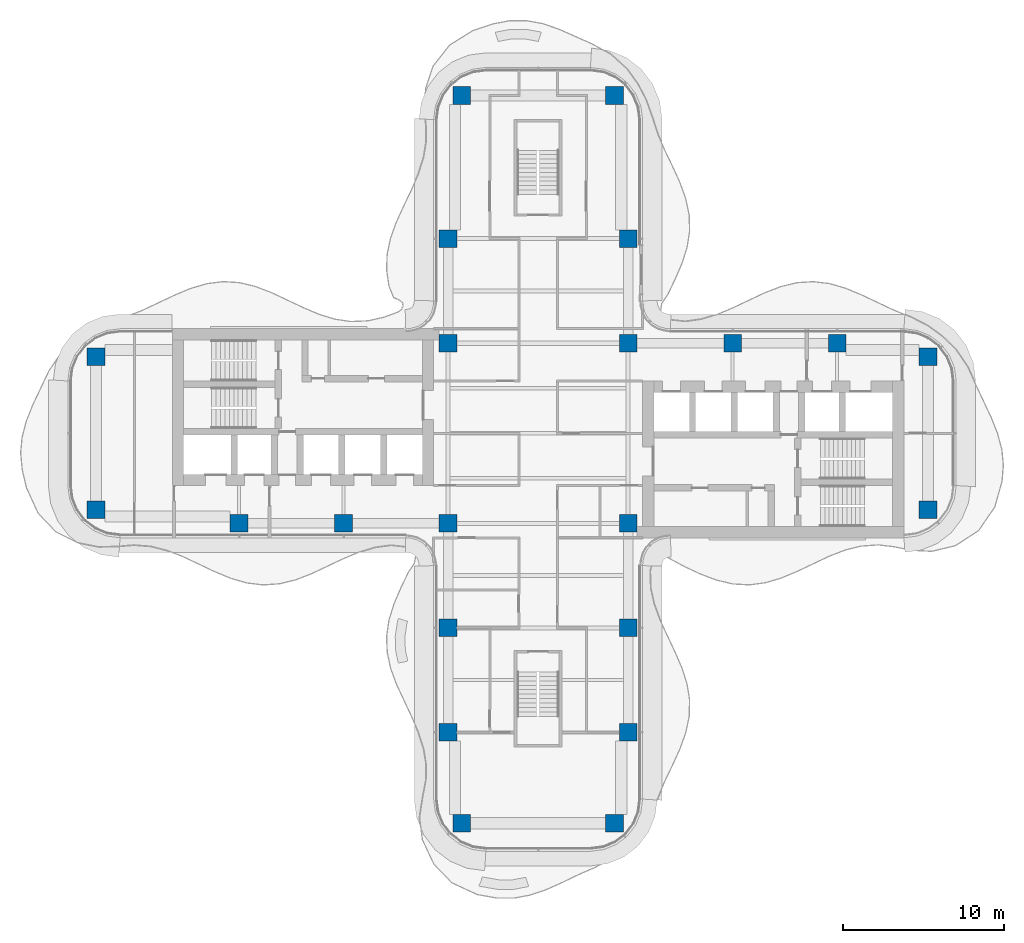
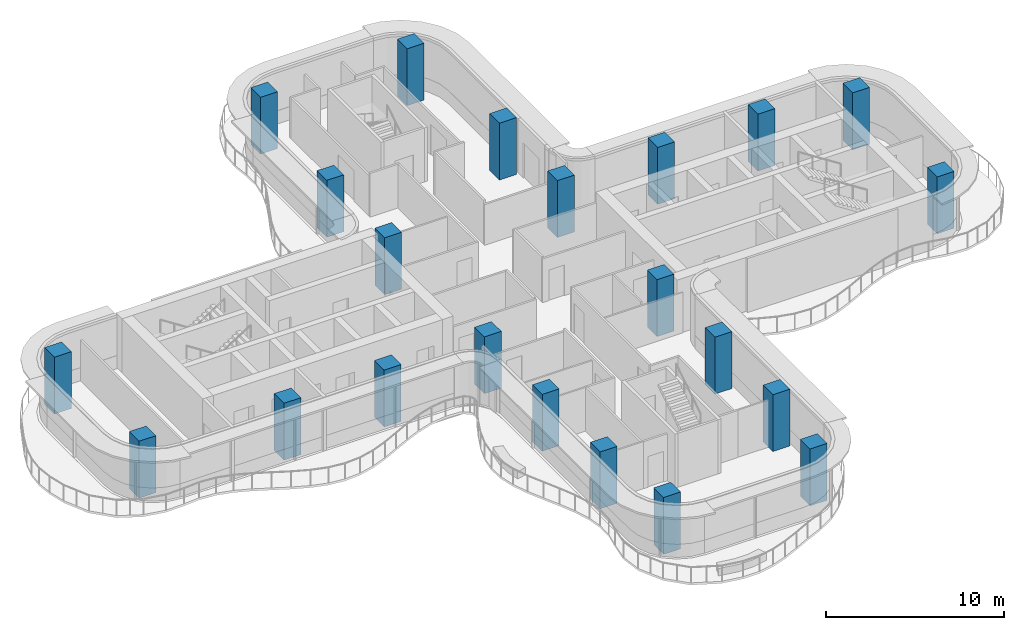
# One storey, part 1 of 18: 22 columns.
"""IFC4 building model written with IfcOpenShell, lengths in metres."""

from ifc_helpers import new_model, si_unit, direction, frame, origin, origin_2d, place, context, subcontext, project, spatial, rectangle, extrude, source, transform, mapped, material, material_profile, profile_set, type_object, element, save


model = new_model("IFC4")

# Units and contexts
model_context = context("Model", 3, precision=1e-05, world=origin(), true_north=direction((0.0, 1.0)))
body_context = subcontext(model_context, "Body", "Model", "MODEL_VIEW")
ifc_project = project(units=[si_unit("LENGTHUNIT", "METRE"), si_unit("AREAUNIT", "SQUARE_METRE"), si_unit("VOLUMEUNIT", "CUBIC_METRE"), si_unit("PLANEANGLEUNIT", "RADIAN"), si_unit("MASSUNIT", "GRAM", prefix="KILO")], contexts=[model_context])

# Site, building, storey
site_placement = place(None, origin())
site = spatial("IfcSite", under=ifc_project, at=site_placement, CompositionType="ELEMENT")
building_placement = place(site_placement, origin())
building = spatial("IfcBuilding", under=site, at=building_placement, Name="Trellis Farm Tower", CompositionType="ELEMENT")
storey_placement = place(building_placement, frame((0.0, 0.0, 224.60009765625)))
storey = spatial("IfcBuildingStorey", under=building, at=storey_placement, Name="L49", CompositionType="ELEMENT", Elevation=224.60009765625)

# Columns
ifc_material = material(Name="Concrete C60/75", Category="concrete")
ifc_material_profile = material_profile(ifc_material, rectangle(XDim=1.10009765625, YDim=1.10009765625, at=origin_2d()), Name="RC column 1100x1100 C60/75")
ifc_profile_set = profile_set([ifc_material_profile], Name="Concrete C60/75")
column_type = type_object("IfcColumnType", Name="RC column 1100x1100 C60/75", PredefinedType="COLUMN", material=ifc_profile_set)
shared_shape = source(origin(), body_context, "Body", "SweptSolid", [
    extrude(rectangle(XDim=1.10009765625, YDim=1.10009765625, at=origin_2d()), origin(), (0.0, 0.0, 1.0), 3.89990234375),
])
for number, where, z_axis, x_axis, name in (
    (1, (12.10009765625, 5.60009765625, 0.0), (0.0, 0.0, 1.0), (1.0, 0.0, 0.0), "Column"),
    (2, (18.60009765625, 5.60009765625, 0.0), (0.0, 0.0, 1.0), (1.0, 0.0, 0.0), "Column"),
    (3, (24.25, 4.75, 0.0), (0.0, 0.0, 1.0), (1.0, 0.0, 0.0), "Column"),
    (4, (24.25, -4.75, 0.0), (0.0, 0.0, 1.0), (1.0, 0.0, 0.0), "Column"),
    (5, (-5.60009765625, 12.10009765625, 0.0), (0.0, 0.0, 1.0), (1.0, 0.0, 0.0), "Column"),
    (6, (-4.75, 21.0, 0.0), (0.0, 0.0, 1.0), (1.0, 0.0, 0.0), "Column"),
    (7, (5.60009765625, 12.10009765625, 0.0), (0.0, 0.0, 1.0), (1.0, 0.0, 0.0), "Column"),
    (8, (4.75, 21.0, 0.0), (0.0, 0.0, 1.0), (1.0, 0.0, 0.0), "Column"),
    (9, (5.60009765625, 5.60009765625, 0.0), (0.0, 0.0, 1.0), (1.0, 0.0, 0.0), "Column"),
    (10, (-5.60009765625, 5.60009765625, 0.0), (0.0, 0.0, 1.0), (1.0, 0.0, 0.0), "Column"),
    (11, (5.60009765625, -5.60009765625, 0.0), (0.0, 0.0, 1.0), (1.0, 0.0, 0.0), "Column"),
    (12, (-5.60009765625, -5.60009765625, 0.0), (0.0, 0.0, 1.0), (1.0, 0.0, 0.0), "Column"),
    (13, (5.60009765625, -12.10009765625, 0.0), (0.0, 0.0, 1.0), (1.0, 0.0, 0.0), "Column"),
    (14, (5.60009765625, -18.60009765625, 0.0), (0.0, 0.0, 1.0), (1.0, 0.0, 0.0), "Column"),
    (15, (4.75, -24.25, 0.0), (0.0, 0.0, 1.0), (1.0, 0.0, 0.0), "Column"),
    (16, (-5.60009765625, -12.10009765625, 0.0), (0.0, 0.0, 1.0), (1.0, 0.0, 0.0), "Column"),
    (17, (-5.60009765625, -18.60009765625, 0.0), (0.0, 0.0, 1.0), (1.0, 0.0, 0.0), "Column"),
    (18, (-4.75, -24.25, 0.0), (0.0, 0.0, 1.0), (1.0, 0.0, 0.0), "Column"),
    (19, (-12.10009765625, -5.60009765625, 0.0), (0.0, 0.0, 1.0), (1.0, 0.0, 0.0), "Column"),
    (20, (-18.60009765625, -5.60009765625, 0.0), (0.0, 0.0, 1.0), (1.0, 0.0, 0.0), "Column"),
    (21, (-27.5, -4.75, 0.0), (0.0, 0.0, 1.0), (1.0, 0.0, 0.0), "Column"),
    (22, (-27.5, 4.75, 0.0), (0.0, 0.0, 1.0), (1.0, 0.0, 0.0), "Column"),
):
    element("IfcColumn", number, at=place(storey_placement, frame(where, z_axis=z_axis, x_axis=x_axis)), inside=storey, type_object=column_type, Name=name, PredefinedType="COLUMN", context=body_context, shape_type="MappedRepresentation", body=[
        mapped(shared_shape, transform((0.0, 0.0, 0.0))),
    ])

save(model, "model.ifc")
